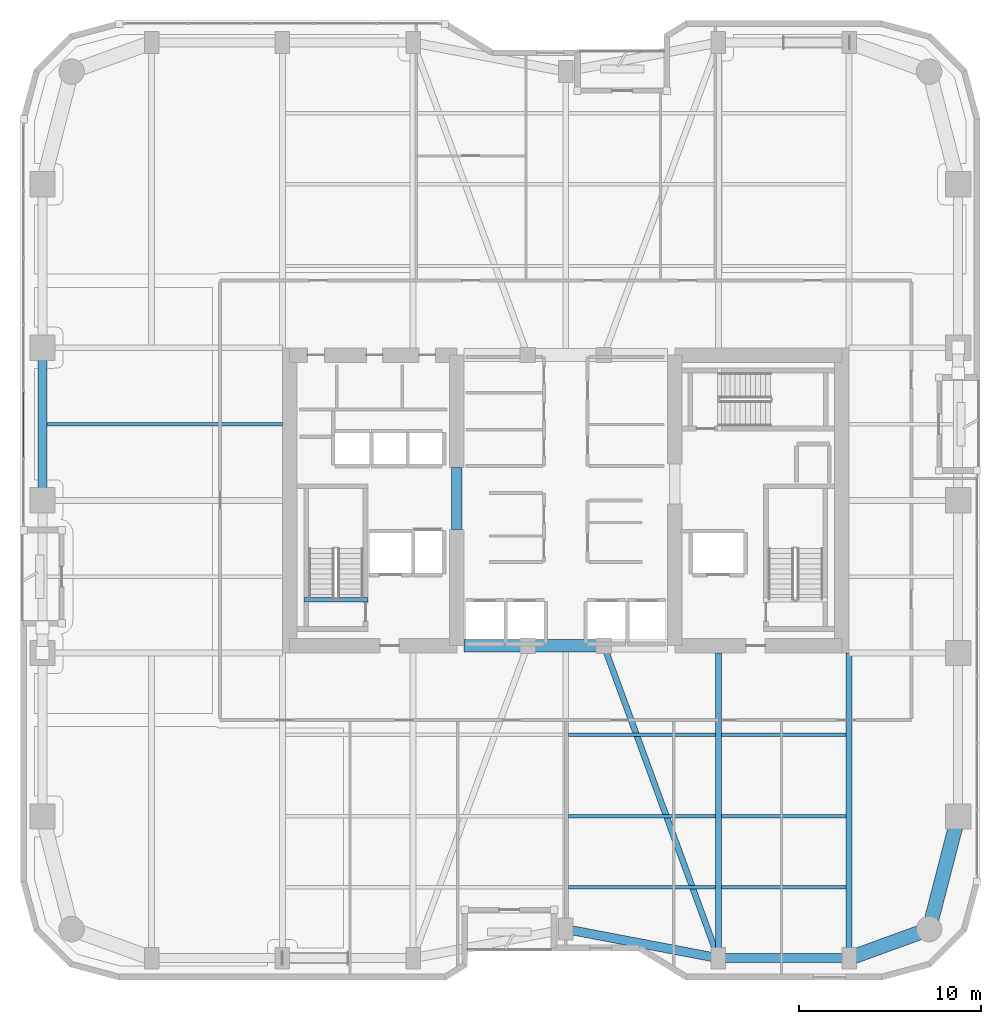
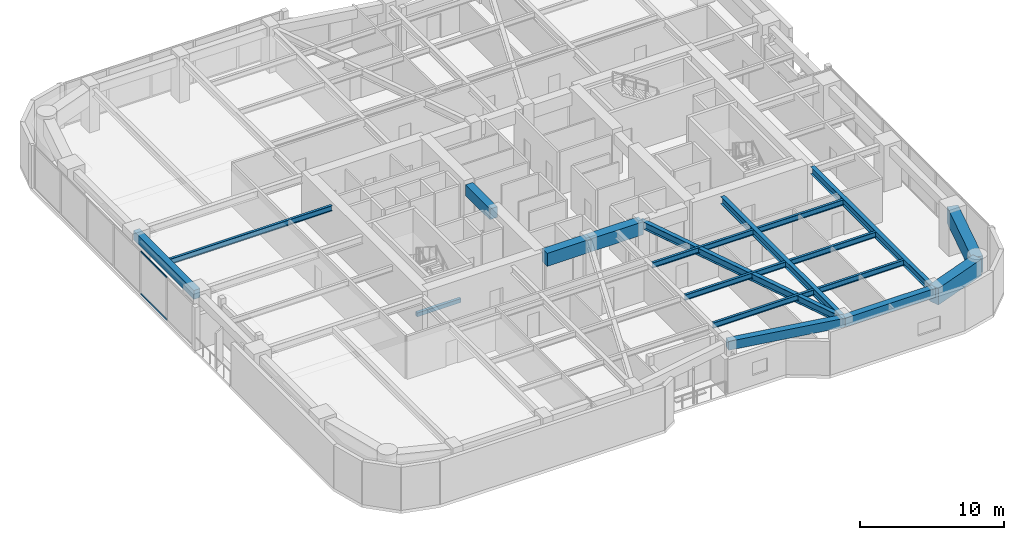
# One storey, part 3 of 24: 19 beams, 2 members, 1 element without a shape of its own.
"""IFC4 building model written with IfcOpenShell, lengths in metres."""

import ifcopenshell
import ifcopenshell.guid

model = None  # the IFC model being written
_history = None  # IfcOwnerHistory: only IFC2X3 demands one
_inside = {}  # id of a spatial element -> (the spatial element, [elements in it])
_under = {}  # id of a project, library or spatial element -> (it, [spatial elements below it])
_declared = {}  # id of a project -> (the project, [libraries it declares])
_typed = {}  # id of a type object -> (the type object, [elements of that type])
_made_of = {}  # id of a material, layer set ... -> (it, [elements and type objects made of it])


def new_model(schema):
    """Start an empty IFC model of exactly this schema.

    Asked for "IFC4X3", IfcOpenShell would pick the latest addendum, in which some entities
    have other attributes; the version numbers below select the first issue.
    IFC2X3 requires an IfcOwnerHistory on every rooted entity: one is made here for all.
    """
    global model, _history
    if schema == "IFC4X3":
        model = ifcopenshell.file(schema_version=(4, 3, 0, 0))
    else:
        model = ifcopenshell.file(schema=schema)
    _inside.clear()
    _under.clear()
    _declared.clear()
    _typed.clear()
    _made_of.clear()
    _history = None
    if model.schema == "IFC2X3":
        org = make("IfcOrganization", Name="unknown")
        user = make(
            "IfcPersonAndOrganization",
            ThePerson=make("IfcPerson", FamilyName="unknown"),
            TheOrganization=org,
        )
        app = make(
            "IfcApplication",
            ApplicationDeveloper=org,
            Version="unknown",
            ApplicationFullName="unknown",
            ApplicationIdentifier="unknown",
        )
        _history = make(
            "IfcOwnerHistory",
            OwningUser=user,
            OwningApplication=app,
            ChangeAction="ADDED",
            CreationDate=0,
        )
    return model


def make(cls, **values):
    """One entity of the class cls with the attributes given. An attribute that is None is left unset."""
    return model.create_entity(
        cls, **{name: value for name, value in values.items() if value is not None}
    )


def rooted(cls, **values):
    """An entity with a GlobalId (a new one), such as an element, a storey or a relation."""
    return make(cls, GlobalId=ifcopenshell.guid.new(), OwnerHistory=_history, **values)


def si_unit(unit_type, name, prefix=None):
    """IfcSIUnit, for example si_unit("LENGTHUNIT", "METRE", prefix="MILLI")."""
    return make("IfcSIUnit", UnitType=unit_type, Prefix=prefix, Name=name)


def assignment(units):
    """IfcUnitAssignment: the units of a project."""
    return None if units is None else make("IfcUnitAssignment", Units=units)


def point(xyz):
    """IfcCartesianPoint."""
    return None if xyz is None else make("IfcCartesianPoint", Coordinates=xyz)


def direction(xyz):
    """IfcDirection."""
    return None if xyz is None else make("IfcDirection", DirectionRatios=xyz)


def frame(location, z_axis=None, x_axis=None):
    """IfcAxis2Placement3D, a coordinate frame: its origin and axes. An axis left out is left unset."""
    return make(
        "IfcAxis2Placement3D",
        Location=point(location),
        Axis=direction(z_axis),
        RefDirection=direction(x_axis),
    )


def frame_2d(location, x_axis=None):
    """IfcAxis2Placement2D, a coordinate frame in the plane: its origin and x axis."""
    return make(
        "IfcAxis2Placement2D", Location=point(location), RefDirection=direction(x_axis)
    )


def origin():
    """The frame at (0, 0, 0) with its axes left unset."""
    return frame((0.0, 0.0, 0.0))


def origin_2d():
    """The frame at (0, 0) in the plane with its x axis left unset."""
    return frame_2d((0.0, 0.0))


def place(relative_to, where):
    """IfcLocalPlacement: puts the frame where relative to a parent placement (None: the world)."""
    return make(
        "IfcLocalPlacement", PlacementRelTo=relative_to, RelativePlacement=where
    )


def context(
    kind, dimensions, precision=None, world=None, true_north=None, identifier=None
):
    """IfcGeometricRepresentationContext, for example the 3D "Model" context."""
    return make(
        "IfcGeometricRepresentationContext",
        ContextIdentifier=identifier,
        ContextType=kind,
        CoordinateSpaceDimension=dimensions,
        Precision=precision,
        WorldCoordinateSystem=world,
        TrueNorth=true_north,
    )


def subcontext(parent, identifier, kind, view, scale=None):
    """IfcGeometricRepresentationSubContext, for example "Body" below "Model"."""
    return make(
        "IfcGeometricRepresentationSubContext",
        ContextIdentifier=identifier,
        ContextType=kind,
        ParentContext=parent,
        TargetScale=scale,
        TargetView=view,
    )


def project(units=None, contexts=None):
    """IfcProject with its units and contexts."""
    return rooted(
        "IfcProject",
        Name="project",
        RepresentationContexts=contexts,
        UnitsInContext=assignment(units),
    )


def spatial(cls, under=None, at=None, **own):
    """A site, building, storey or space (cls), placed at a placement, below another one or the project."""
    s = rooted(cls, ObjectPlacement=at, **own)
    if under is not None:
        _under.setdefault(under.id(), (under, []))[1].append(s)
    return s


def profile(cls, at=None, kind="AREA", **sizes):
    """A parametric profile (cls). Its sizes go by their IFC names, for example OverallWidth=200.0."""
    return make(cls, ProfileType=kind, Position=at, **sizes)


def rectangle(**sizes):
    """IfcRectangleProfileDef."""
    return profile("IfcRectangleProfileDef", **sizes)


def hollow_rectangle(**sizes):
    """IfcRectangleHollowProfileDef."""
    return profile("IfcRectangleHollowProfileDef", **sizes)


def i_section(**sizes):
    """IfcIShapeProfileDef."""
    return profile("IfcIShapeProfileDef", **sizes)


def extrude(swept, where, along, depth):
    """IfcExtrudedAreaSolid: the profile swept, set in the frame where, extruded along a direction by depth."""
    return make(
        "IfcExtrudedAreaSolid",
        SweptArea=swept,
        Position=where,
        ExtrudedDirection=direction(along),
        Depth=depth,
    )


def shape(context_of_items, identifier, shape_type, items):
    """IfcShapeRepresentation: the items that make up one representation, for example the "Body"."""
    return make(
        "IfcShapeRepresentation",
        ContextOfItems=context_of_items,
        RepresentationIdentifier=identifier,
        RepresentationType=shape_type,
        Items=items,
    )


def material(Name=None, Category=None):
    """IfcMaterial."""
    return make("IfcMaterial", Name=Name, Category=Category)


def layer(
    of_material, thickness, ventilated=None, Name=None, Category=None, Priority=None
):
    """IfcMaterialLayer: one layer of a wall or slab, of a material (None: an air gap)."""
    return make(
        "IfcMaterialLayer",
        Material=of_material,
        LayerThickness=thickness,
        IsVentilated=ventilated,
        Name=Name,
        Category=Category,
        Priority=Priority,
    )


def layer_set(layers, Name=None):
    """IfcMaterialLayerSet."""
    return make("IfcMaterialLayerSet", MaterialLayers=layers, LayerSetName=Name)


def material_profile(
    of_material, cross_section, Name=None, Category=None, Priority=None
):
    """IfcMaterialProfile: a cross section and its material."""
    return make(
        "IfcMaterialProfile",
        Name=Name,
        Material=of_material,
        Profile=cross_section,
        Priority=Priority,
        Category=Category,
    )


def profile_set(profiles, Name=None, composite=None):
    """IfcMaterialProfileSet."""
    return make(
        "IfcMaterialProfileSet",
        Name=Name,
        MaterialProfiles=profiles,
        CompositeProfile=composite,
    )


def made_of(thing, what):
    """Note that an element or type object is made of a material, layer set ...; save() writes the relation."""
    if what is not None:
        _made_of.setdefault(what.id(), (what, []))[1].append(thing)
    return thing


def type_object(cls, material=None, **own):
    """A type object (cls), such as IfcWallType, which elements share."""
    return made_of(rooted(cls, **own), material)


def element(
    cls,
    number,
    at=None,
    inside=None,
    cuts=None,
    type_object=None,
    material=None,
    context=None,
    identifier="Body",
    shape_type=None,
    held_by="IfcProductDefinitionShape",
    body=None,
    shapes=None,
    **own,
):
    """One element of the class cls, such as IfcWall. Its Tag is "e" and its number.

    at: its placement. inside: the storey or other place that contains it. cuts: it is an
    opening in that element (IfcRelVoidsElement). A single representation is given by context,
    identifier, shape_type and body (its items); several are given by shapes. held_by: the class
    of the entity that holds the representations. save() writes the other relations.
    """
    e = rooted(cls, Tag="e%d" % number, ObjectPlacement=at, **own)
    if body is not None:
        shapes = [shape(context, identifier, shape_type, body)]
    if shapes is not None:
        e.Representation = make(held_by, Representations=shapes)
    if inside is not None:
        _inside.setdefault(inside.id(), (inside, []))[1].append(e)
    if cuts is not None:
        rooted(
            "IfcRelVoidsElement", RelatingBuildingElement=cuts, RelatedOpeningElement=e
        )
    if type_object is not None:
        _typed.setdefault(type_object.id(), (type_object, []))[1].append(e)
    return made_of(e, material)


def aggregate(whole, parts):
    """IfcRelAggregates: a whole, such as a stair, and the parts it consists of."""
    return rooted("IfcRelAggregates", RelatingObject=whole, RelatedObjects=parts)


def save(model, path):
    """Write the relations noted so far, then the file.

    IfcRelAggregates (storeys below a building ...), IfcRelContainedInSpatialStructure (elements
    in a storey), IfcRelDefinesByType, IfcRelAssociatesMaterial and IfcRelDeclares: one each for
    every whole, place, type object, material and project.
    """
    for whole, parts in _under.values():
        aggregate(whole, parts)
    for where, things in _inside.values():
        rooted(
            "IfcRelContainedInSpatialStructure",
            RelatedElements=things,
            RelatingStructure=where,
        )
    for kind, things in _typed.values():
        rooted("IfcRelDefinesByType", RelatedObjects=things, RelatingType=kind)
    for what, things in _made_of.values():
        rooted("IfcRelAssociatesMaterial", RelatedObjects=things, RelatingMaterial=what)
    for by, libraries in _declared.values():
        rooted("IfcRelDeclares", RelatingContext=by, RelatedDefinitions=libraries)
    model.write(path)


model = new_model("IFC4")

# Units and contexts
model_context = context("Model", 3, precision=1e-05, world=origin(), true_north=direction((0.0, 1.0)))
body_context = subcontext(model_context, "Body", "Model", "MODEL_VIEW")
ifc_project = project(units=[si_unit("LENGTHUNIT", "METRE"), si_unit("AREAUNIT", "SQUARE_METRE"), si_unit("VOLUMEUNIT", "CUBIC_METRE"), si_unit("PLANEANGLEUNIT", "RADIAN"), si_unit("MASSUNIT", "GRAM", prefix="KILO")], contexts=[model_context])

# Site, building, storey
site_placement = place(None, origin())
site = spatial("IfcSite", under=ifc_project, at=site_placement, CompositionType="ELEMENT")
building_placement = place(site_placement, origin())
building = spatial("IfcBuilding", under=site, at=building_placement, Name="Kiyonajd Concourse Tower", CompositionType="ELEMENT")
storey_placement = place(building_placement, frame((0.0, 0.0, 101.39990234375)))
storey = spatial("IfcBuildingStorey", under=building, at=storey_placement, Name="L26", CompositionType="ELEMENT", Elevation=101.39990234375)

# Beams
ifc_material_1 = material(Name="Concrete C70/85", Category="concrete")
ifc_material_profile_1 = material_profile(ifc_material_1, rectangle(XDim=0.699951171875, YDim=1.10009765625, at=origin_2d()), Name="RCBM-700x1100")
ifc_profile_set_1 = profile_set([ifc_material_profile_1], Name="Concrete C70/85")
beam_type_1 = type_object("IfcBeamType", Name="BM-COUP-1100", PredefinedType="LINTEL", material=ifc_profile_set_1)
beam_1_placement = place(storey_placement, frame((42.39990234375, 28.0, 3.090087890625), z_axis=(1.0, 0.0, 0.0), x_axis=(0.0, 1.0, 0.0)))
element("IfcBeam", 1, at=beam_1_placement, inside=storey, type_object=beam_type_1, Name="L26 Core Coupling Beam S1", PredefinedType="LINTEL", context=body_context, shape_type="SweptSolid", body=[
    extrude(rectangle(XDim=0.699951171875, YDim=1.10009765625, at=origin_2d()), origin(), (0.0, 0.0, 1.0), 3.5),
])
beam_2_placement = place(storey_placement, frame((45.89990234375, 28.0, 3.090087890625), z_axis=(1.0, 0.0, 0.0), x_axis=(0.0, 1.0, 0.0)))
element("IfcBeam", 2, at=beam_2_placement, inside=storey, type_object=beam_type_1, Name="L26 Core Coupling Beam S2", PredefinedType="LINTEL", context=body_context, shape_type="SweptSolid", body=[
    extrude(rectangle(XDim=0.699951171875, YDim=1.10009765625, at=origin_2d()), origin(), (0.0, 0.0, 1.0), 4.2001953125),
])
ifc_material_2 = material(Name="Concrete C60/75", Category="concrete")
ifc_material_profile_2 = material_profile(ifc_material_2, rectangle(XDim=0.60009765625, YDim=0.89990234375, at=origin_2d()), Name="RCBM-600x900")
ifc_profile_set_2 = profile_set([ifc_material_profile_2], Name="Concrete C60/75")
beam_type_2 = type_object("IfcBeamType", Name="BM-COUP-900", PredefinedType="LINTEL", material=ifc_profile_set_2)
beam_3_placement = place(storey_placement, frame((42.0, 34.39990234375, 3.090087890625), z_axis=(0.0, 1.0, 0.0), x_axis=(-1.0, 0.0, 0.0)))
element("IfcBeam", 3, at=beam_3_placement, inside=storey, type_object=beam_type_2, Name="L26 West Core Throat Coupling Lintel", PredefinedType="LINTEL", context=body_context, shape_type="SweptSolid", body=[
    extrude(rectangle(XDim=0.60009765625, YDim=0.89990234375, at=origin_2d()), origin(), (0.0, 0.0, 1.0), 3.400146484375),
])
ifc_material_3 = material(Name="Steel ASTM A992 Grade 50", Category="steel")
ifc_material_profile_3 = material_profile(ifc_material_3, i_section(OverallWidth=0.19189453125, OverallDepth=0.462890625, WebThickness=0.010498046875, FlangeThickness=0.017578125, at=origin_2d()), Name="W460X89")
ifc_profile_set_3 = profile_set([ifc_material_profile_3], Name="Steel ASTM A992 Grade 50")
beam_type_3 = type_object("IfcBeamType", Name="BM-JST-460B", PredefinedType="JOIST", material=ifc_profile_set_3)
beam_4_placement = place(storey_placement, frame((48.16357421875, 14.699951171875, 3.40869140625), z_axis=(1.0, 0.0, 0.0), x_axis=(0.0, 1.0, 0.0)))
element("IfcBeam", 4, at=beam_4_placement, inside=storey, type_object=beam_type_3, Name="L26 Secondary Floor Joist", PredefinedType="JOIST", context=body_context, shape_type="SweptSolid", body=[
    extrude(i_section(OverallWidth=0.19189453125, OverallDepth=0.462890625, WebThickness=0.010498046875, FlangeThickness=0.017578125, at=origin_2d()), origin(), (0.0, 0.0, 1.0), 8.072998046875),
])
beam_5_placement = place(storey_placement, frame((56.5634765625, 14.699951171875, 3.40869140625), z_axis=(1.0, 0.0, 0.0), x_axis=(0.0, 1.0, 0.0)))
element("IfcBeam", 5, at=beam_5_placement, inside=storey, type_object=beam_type_3, Name="L26 Secondary Floor Joist", PredefinedType="JOIST", context=body_context, shape_type="SweptSolid", body=[
    extrude(i_section(OverallWidth=0.19189453125, OverallDepth=0.462890625, WebThickness=0.010498046875, FlangeThickness=0.017578125, at=origin_2d()), origin(), (0.0, 0.0, 1.0), 6.873046875),
])
beam_6_placement = place(storey_placement, frame((48.16357421875, 18.60009765625, 3.40869140625), z_axis=(1.0, 0.0, 0.0), x_axis=(0.0, 1.0, 0.0)))
element("IfcBeam", 6, at=beam_6_placement, inside=storey, type_object=beam_type_3, Name="L26 Secondary Floor Joist", PredefinedType="JOIST", context=body_context, shape_type="SweptSolid", body=[
    extrude(i_section(OverallWidth=0.19189453125, OverallDepth=0.462890625, WebThickness=0.010498046875, FlangeThickness=0.017578125, at=origin_2d()), origin(), (0.0, 0.0, 1.0), 8.072998046875),
])
beam_7_placement = place(storey_placement, frame((56.5634765625, 18.60009765625, 3.40869140625), z_axis=(1.0, 0.0, 0.0), x_axis=(0.0, 1.0, 0.0)))
element("IfcBeam", 7, at=beam_7_placement, inside=storey, type_object=beam_type_3, Name="L26 Secondary Floor Joist", PredefinedType="JOIST", context=body_context, shape_type="SweptSolid", body=[
    extrude(i_section(OverallWidth=0.19189453125, OverallDepth=0.462890625, WebThickness=0.010498046875, FlangeThickness=0.017578125, at=origin_2d()), origin(), (0.0, 0.0, 1.0), 6.873046875),
])
beam_8_placement = place(storey_placement, frame((48.16357421875, 23.10009765625, 3.40869140625), z_axis=(1.0, 0.0, 0.0), x_axis=(0.0, 1.0, 0.0)))
element("IfcBeam", 8, at=beam_8_placement, inside=storey, type_object=beam_type_3, Name="L26 Secondary Floor Joist", PredefinedType="JOIST", context=body_context, shape_type="SweptSolid", body=[
    extrude(i_section(OverallWidth=0.19189453125, OverallDepth=0.462890625, WebThickness=0.010498046875, FlangeThickness=0.017578125, at=origin_2d()), origin(), (0.0, 0.0, 1.0), 8.072998046875),
])
beam_9_placement = place(storey_placement, frame((56.5634765625, 23.10009765625, 3.40869140625), z_axis=(1.0, 0.0, 0.0), x_axis=(0.0, 1.0, 0.0)))
element("IfcBeam", 9, at=beam_9_placement, inside=storey, type_object=beam_type_3, Name="L26 Secondary Floor Joist", PredefinedType="JOIST", context=body_context, shape_type="SweptSolid", body=[
    extrude(i_section(OverallWidth=0.19189453125, OverallDepth=0.462890625, WebThickness=0.010498046875, FlangeThickness=0.017578125, at=origin_2d()), origin(), (0.0, 0.0, 1.0), 6.873046875),
])
beam_10_placement = place(storey_placement, frame((19.449951171875, 40.199951171875, 3.40869140625), z_axis=(1.0, 0.0, 0.0), x_axis=(0.0, 1.0, 0.0)))
element("IfcBeam", 10, at=beam_10_placement, inside=storey, type_object=beam_type_3, Name="L26 West Secondary Floor Joist", PredefinedType="JOIST", context=body_context, shape_type="SweptSolid", body=[
    extrude(i_section(OverallWidth=0.19189453125, OverallDepth=0.462890625, WebThickness=0.010498046875, FlangeThickness=0.017578125, at=origin_2d()), origin(), (0.0, 0.0, 1.0), 12.949951171875),
])
ifc_material_4 = material(Name="Concrete C50/60", Category="concrete")
ifc_material_profile_4 = material_profile(ifc_material_4, rectangle(XDim=0.239990234375, YDim=0.320068359375, at=origin_2d()), Name="RCBM-240x320")
ifc_profile_set_4 = profile_set([ifc_material_profile_4], Name="Concrete C50/60")
beam_type_4 = type_object("IfcBeamType", Name="BM-LNT-250", PredefinedType="LINTEL", material=ifc_profile_set_4)
beam_11_placement = place(storey_placement, frame((33.590087890625, 30.530029296875, -0.159912109375), z_axis=(1.0, 0.0, 0.0), x_axis=(0.0, 1.0, 0.0)))
element("IfcBeam", 11, at=beam_11_placement, inside=storey, type_object=beam_type_4, Name="L26 Stair ST1 Threshold Support Beam", PredefinedType="LINTEL", context=body_context, shape_type="SweptSolid", body=[
    extrude(rectangle(XDim=0.239990234375, YDim=0.320068359375, at=origin_2d()), origin(), (0.0, 0.0, 1.0), 3.52001953125),
])
ifc_material_5 = material(Name="Precast concrete C50/60", Category="concrete")
ifc_material_profile_5 = material_profile(ifc_material_5, rectangle(XDim=0.5, YDim=0.75, at=origin_2d()), Name="RCBM-500x750")
ifc_profile_set_5 = profile_set([ifc_material_profile_5], Name="Precast concrete C50/60")
beam_type_5 = type_object("IfcBeamType", Name="BM-SPAN-RC", PredefinedType="SPANDREL", material=ifc_profile_set_5)
beam_12_placement = place(storey_placement, frame((48.0, 12.39990234375, 3.26513671875), z_axis=(0.982341315253, -0.187097675953, 0.0), x_axis=(0.187097675953, 0.982341315253, 0.0)))
element("IfcBeam", 12, at=beam_12_placement, inside=storey, type_object=beam_type_5, Name="L26 Perimeter Bundled Tube Spandrel", PredefinedType="SPANDREL", context=body_context, shape_type="SweptSolid", body=[
    extrude(rectangle(XDim=0.5, YDim=0.75, at=origin_2d()), origin(), (0.0, 0.0, 1.0), 8.55078125),
])
beam_13_placement = place(storey_placement, frame((56.39990234375, 10.800048828125, 3.26513671875), z_axis=(1.0, 0.0, 0.0), x_axis=(0.0, 1.0, 0.0)))
element("IfcBeam", 13, at=beam_13_placement, inside=storey, type_object=beam_type_5, Name="L26 Perimeter Bundled Tube Spandrel", PredefinedType="SPANDREL", context=body_context, shape_type="SweptSolid", body=[
    extrude(rectangle(XDim=0.5, YDim=0.75, at=origin_2d()), origin(), (0.0, 0.0, 1.0), 7.2001953125),
])
beam_14_placement = place(storey_placement, frame((19.199951171875, 44.39990234375, 3.26513671875), z_axis=(0.0, -1.0, 0.0), x_axis=(1.0, 0.0, 0.0)))
element("IfcBeam", 14, at=beam_14_placement, inside=storey, type_object=beam_type_5, Name="L26 Perimeter Bundled Tube Spandrel", PredefinedType="SPANDREL", context=body_context, shape_type="SweptSolid", body=[
    extrude(rectangle(XDim=0.5, YDim=0.75, at=origin_2d()), origin(), (0.0, 0.0, 1.0), 8.39990234375),
])
ifc_material_profile_6 = material_profile(ifc_material_3, i_section(OverallWidth=0.326904296875, OverallDepth=0.6220703125, WebThickness=0.015380859375, FlangeThickness=0.0244140625, at=origin_2d()), Name="W610X195")
ifc_profile_set_6 = profile_set([ifc_material_profile_6], Name="Steel ASTM A992 Grade 50")
beam_type_6 = type_object("IfcBeamType", Name="BM-TWR-610A", PredefinedType="BEAM", material=ifc_profile_set_6)
beam_15_placement = place(storey_placement, frame((50.10009765625, 28.0, 3.3291015625), z_axis=(0.343925269715, -0.938997022813, 0.0), x_axis=(0.938997022813, 0.343925269715, 0.0)))
element("IfcBeam", 15, at=beam_15_placement, inside=storey, type_object=beam_type_6, Name="L26 Core Tie Girder", PredefinedType="BEAM", context=body_context, shape_type="SweptSolid", body=[
    extrude(i_section(OverallWidth=0.326904296875, OverallDepth=0.6220703125, WebThickness=0.015380859375, FlangeThickness=0.0244140625, at=origin_2d()), origin(), (0.0, 0.0, 1.0), 18.3173828125),
])
for number, where, z_axis, x_axis, name in (
    (16, (56.39990234375, 10.800048828125, 3.3291015625), (0.0, 1.0, 0.0), (-1.0, 0.0, 0.0), "L26 South Lease Girder"),
    (17, (63.60009765625, 10.800048828125, 3.3291015625), (0.0, 1.0, 0.0), (-1.0, 0.0, 0.0), "L26 South Lease Girder"),
):
    element("IfcBeam", number, at=place(storey_placement, frame(where, z_axis=z_axis, x_axis=x_axis)), inside=storey, type_object=beam_type_6, Name=name, PredefinedType="BEAM", context=body_context, shape_type="SweptSolid", body=[
        extrude(i_section(OverallWidth=0.326904296875, OverallDepth=0.6220703125, WebThickness=0.015380859375, FlangeThickness=0.0244140625, at=origin_2d()), origin(), (0.0, 0.0, 1.0), 16.800048828125),
    ])
ifc_material_profile_7 = material_profile(ifc_material_2, rectangle(XDim=0.800048828125, YDim=1.39990234375, at=origin_2d()), Name="RCBM-800x1400")
ifc_profile_set_7 = profile_set([ifc_material_profile_7], Name="Concrete C60/75")
beam_type_7 = type_object("IfcBeamType", Name="BM-XFER-RC", PredefinedType="BEAM", material=ifc_profile_set_7)
beam_16_placement = place(storey_placement, frame((63.60009765625, 10.800048828125, 2.940185546875), z_axis=(0.939801036019, 0.341722127901, 0.0), x_axis=(-0.341722127901, 0.939801036019, 0.0)))
element("IfcBeam", 18, at=beam_16_placement, inside=storey, type_object=beam_type_7, Name="L26 Perimeter Bundled Tube Spandrel", PredefinedType="BEAM", context=body_context, shape_type="SweptSolid", body=[
    extrude(rectangle(XDim=0.800048828125, YDim=1.39990234375, at=origin_2d()), origin(), (0.0, 0.0, 1.0), 4.681640625),
])
beam_17_placement = place(storey_placement, frame((68.0, 12.39990234375, 2.940185546875), z_axis=(0.249884937687, 0.968275538221, 0.0), x_axis=(-0.968275538221, 0.249884937687, 0.0)))
element("IfcBeam", 19, at=beam_17_placement, inside=storey, type_object=beam_type_7, Name="L26 Perimeter Bundled Tube Spandrel", PredefinedType="BEAM", context=body_context, shape_type="SweptSolid", body=[
    extrude(rectangle(XDim=0.800048828125, YDim=1.39990234375, at=origin_2d()), origin(), (0.0, 0.0, 1.0), 6.4033203125),
])

# Curtain wall, members
ifc_material_6 = material(Name="Thermally Broken Anodised Aluminium", Category="aluminium")
ifc_layer = layer(ifc_material_6, 0.179931640625)
ifc_layer_set = layer_set([ifc_layer], Name="Thermally Broken Anodised Aluminium")
curtain_wall_type = type_object("IfcCurtainWallType", Name="CW-SYS-03", PredefinedType="NOTDEFINED", material=ifc_layer_set)
curtain_wall_placement = place(storey_placement, origin())
curtain_wall = element("IfcCurtainWall", 20, at=curtain_wall_placement, inside=storey, type_object=curtain_wall_type, Name="L26 Unitised Curtain Wall CW3", PredefinedType="NOTDEFINED")
ifc_material_profile_8 = material_profile(ifc_material_6, hollow_rectangle(XDim=0.06494140625, YDim=0.139892578125, WallThickness=0.00390625, at=origin_2d()), Name="TRAN-65x140")
ifc_profile_set_8 = profile_set([ifc_material_profile_8], Name="Thermally Broken Anodised Aluminium")
member_type = type_object("IfcMemberType", Name="MB-CW-TRAN1", PredefinedType="USERDEFINED", material=ifc_profile_set_8)
member_1_placement = place(storey_placement, frame((18.159912109375, 38.355712890625, 0.03271484375), z_axis=(0.0, 1.0, 0.0), x_axis=(-1.0, 0.0, 0.0)))
member_1 = element("IfcMember", 21, at=member_1_placement, type_object=member_type, Name="CW3 transom 2.1", ObjectType="TRANSOM", PredefinedType="USERDEFINED", context=body_context, shape_type="SweptSolid", body=[
    extrude(hollow_rectangle(XDim=0.06494140625, YDim=0.139892578125, WallThickness=0.00390625, at=origin_2d()), origin(), (0.0, 0.0, 1.0), 3.608154296875),
])
member_2_placement = place(storey_placement, frame((18.159912109375, 38.355712890625, 3.607666015625), z_axis=(0.0, 1.0, 0.0), x_axis=(-1.0, 0.0, 0.0)))
member_2 = element("IfcMember", 22, at=member_2_placement, type_object=member_type, Name="CW3 transom 2.2", ObjectType="TRANSOM", PredefinedType="USERDEFINED", context=body_context, shape_type="SweptSolid", body=[
    extrude(hollow_rectangle(XDim=0.06494140625, YDim=0.139892578125, WallThickness=0.00390625, at=origin_2d()), origin(), (0.0, 0.0, 1.0), 3.608154296875),
])
aggregate(curtain_wall, [member_1, member_2])

save(model, "model.ifc")
